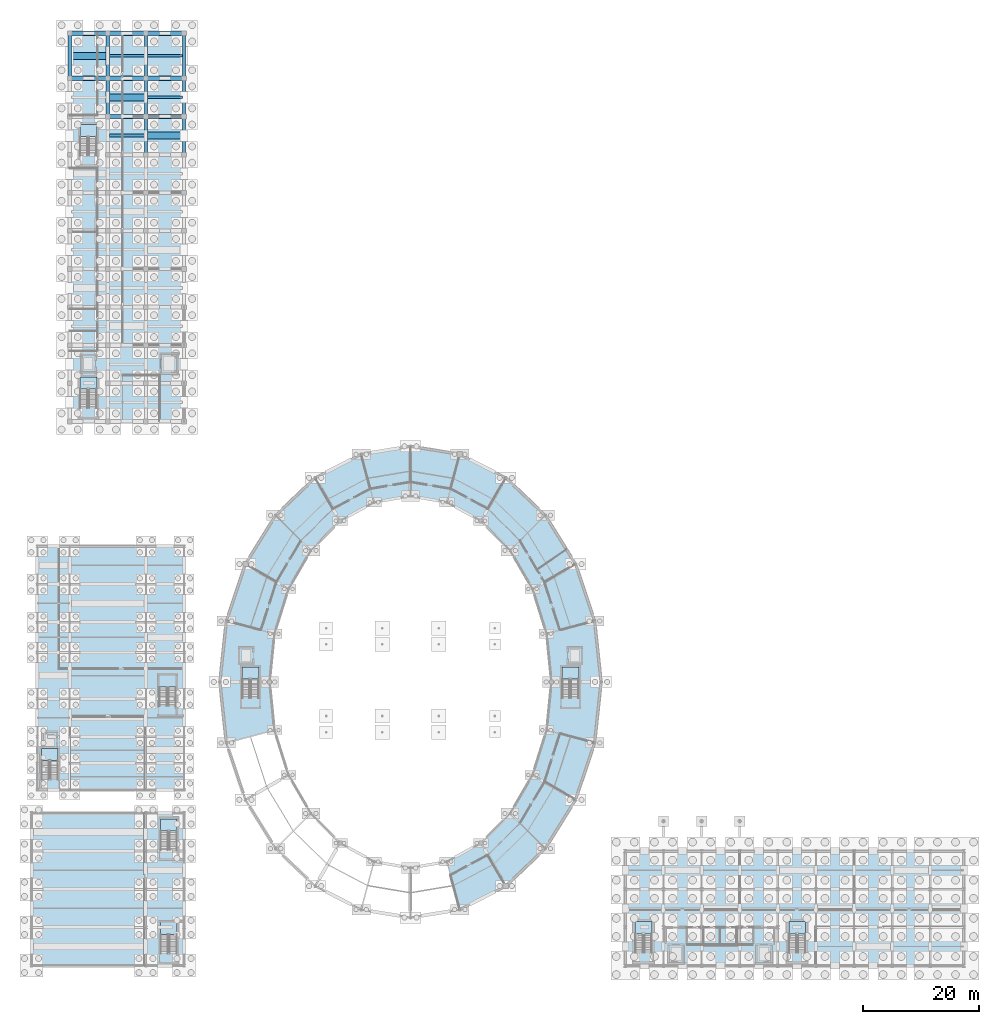
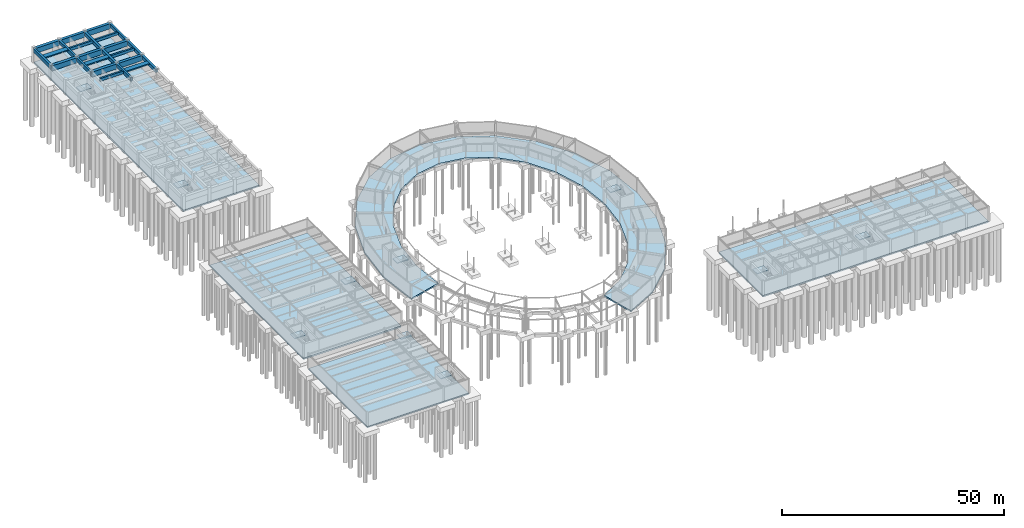
# One storey, part 29 of 58: 24 beams, 15 slabs, 10 elements without a shape of their own.
"""IFC4 building model written with IfcOpenShell, lengths in metres."""

from ifc_helpers import new_model, si_unit, direction, frame, origin, origin_2d, place, context, subcontext, project, spatial, polyline, rectangle, outline, extrude, material, layer, layer_set, material_profile, profile_set, type_object, element, aggregate, save


model = new_model("IFC4")

# Units and contexts
model_context = context("Model", 3, precision=1e-05, world=origin(), true_north=direction((0.0, 1.0)))
body_context = subcontext(model_context, "Body", "Model", "MODEL_VIEW")
ifc_project = project(units=[si_unit("LENGTHUNIT", "METRE"), si_unit("AREAUNIT", "SQUARE_METRE"), si_unit("VOLUMEUNIT", "CUBIC_METRE"), si_unit("PLANEANGLEUNIT", "RADIAN"), si_unit("MASSUNIT", "GRAM", prefix="KILO")], contexts=[model_context])

# Site, building, storey
site_placement = place(None, origin())
site = spatial("IfcSite", under=ifc_project, at=site_placement, CompositionType="ELEMENT")
building_placement = place(site_placement, origin())
building = spatial("IfcBuilding", under=site, at=building_placement, Name="Karori Crest Natural Sciences Institute", CompositionType="ELEMENT")
storey_placement = place(building_placement, frame((0.0, 0.0, -4.199951171875)))
storey = spatial("IfcBuildingStorey", under=building, at=storey_placement, Name="B1", CompositionType="ELEMENT", Elevation=-4.199951171875)

# Beams
ifc_material_1 = material(Name="Concrete 50 MPa", Category="concrete")
ifc_material_profile_1 = material_profile(ifc_material_1, rectangle(XDim=0.75, YDim=1.39990234375, at=origin_2d()), Name="RCB750x1400")
ifc_profile_set_1 = profile_set([ifc_material_profile_1], Name="Concrete 50 MPa")
beam_type_1 = type_object("IfcBeamType", Name="BT-17", PredefinedType="BEAM", material=ifc_profile_set_1)
for number, where, z_axis, x_axis, name in (
    (1, (7.39990234375, 162.199951171875, 3.14990234375), (1.0, 0.0, 0.0), (0.0, 1.0, 0.0), "Beam B-1278"),
    (2, (14.0, 162.199951171875, 3.14990234375), (1.0, 0.0, 0.0), (0.0, 1.0, 0.0), "Beam B-1279"),
):
    element("IfcBeam", number, at=place(storey_placement, frame(where, z_axis=z_axis, x_axis=x_axis)), inside=storey, type_object=beam_type_1, Name=name, PredefinedType="BEAM", context=body_context, shape_type="SweptSolid", body=[
        extrude(rectangle(XDim=0.75, YDim=1.39990234375, at=origin_2d()), origin(), (0.0, 0.0, 1.0), 6.60009765625),
    ])
beam_1_placement = place(storey_placement, frame((20.60009765625, 162.199951171875, 3.14990234375), z_axis=(1.0, 0.0, 0.0), x_axis=(0.0, 1.0, 0.0)))
element("IfcBeam", 3, at=beam_1_placement, inside=storey, type_object=beam_type_1, Name="Beam B-1280", PredefinedType="BEAM", context=body_context, shape_type="SweptSolid", body=[
    extrude(rectangle(XDim=0.75, YDim=1.39990234375, at=origin_2d()), origin(), (0.0, 0.0, 1.0), 6.599853515625),
])
ifc_material_profile_2 = material_profile(ifc_material_1, rectangle(XDim=0.75, YDim=1.39990234375, at=origin_2d()), Name="RCB750x1400")
ifc_profile_set_2 = profile_set([ifc_material_profile_2], Name="Concrete 50 MPa")
beam_type_2 = type_object("IfcBeamType", Name="BT-17-IL", PredefinedType="BEAM", material=ifc_profile_set_2)
beam_2_placement = place(storey_placement, frame((14.0, 147.800048828125, 3.14990234375), z_axis=(1.0, 0.0, 0.0), x_axis=(0.0, 1.0, 0.0)))
element("IfcBeam", 4, at=beam_2_placement, inside=storey, type_object=beam_type_2, Name="Beam B-1273", PredefinedType="BEAM", context=body_context, shape_type="SweptSolid", body=[
    extrude(rectangle(XDim=0.75, YDim=1.39990234375, at=origin_2d()), origin(), (0.0, 0.0, 1.0), 6.60009765625),
])
beam_3_placement = place(storey_placement, frame((20.60009765625, 147.800048828125, 3.14990234375), z_axis=(1.0, 0.0, 0.0), x_axis=(0.0, 1.0, 0.0)))
element("IfcBeam", 5, at=beam_3_placement, inside=storey, type_object=beam_type_2, Name="Beam B-1274", PredefinedType="BEAM", context=body_context, shape_type="SweptSolid", body=[
    extrude(rectangle(XDim=0.75, YDim=1.39990234375, at=origin_2d()), origin(), (0.0, 0.0, 1.0), 6.599853515625),
])
for number, where, z_axis, x_axis, name in (
    (6, (7.39990234375, 154.39990234375, 3.14990234375), (1.0, 0.0, 0.0), (0.0, 1.0, 0.0), "Beam B-1275"),
    (7, (14.0, 154.39990234375, 3.14990234375), (1.0, 0.0, 0.0), (0.0, 1.0, 0.0), "Beam B-1276"),
):
    element("IfcBeam", number, at=place(storey_placement, frame(where, z_axis=z_axis, x_axis=x_axis)), inside=storey, type_object=beam_type_2, Name=name, PredefinedType="BEAM", context=body_context, shape_type="SweptSolid", body=[
        extrude(rectangle(XDim=0.75, YDim=1.39990234375, at=origin_2d()), origin(), (0.0, 0.0, 1.0), 6.60009765625),
    ])
beam_4_placement = place(storey_placement, frame((20.60009765625, 154.39990234375, 3.14990234375), z_axis=(1.0, 0.0, 0.0), x_axis=(0.0, 1.0, 0.0)))
element("IfcBeam", 8, at=beam_4_placement, inside=storey, type_object=beam_type_2, Name="Beam B-1277", PredefinedType="BEAM", context=body_context, shape_type="SweptSolid", body=[
    extrude(rectangle(XDim=0.75, YDim=1.39990234375, at=origin_2d()), origin(), (0.0, 0.0, 1.0), 6.599853515625),
])
ifc_material_2 = material(Name="Concrete 40 MPa", Category="concrete")
ifc_material_profile_3 = material_profile(ifc_material_2, rectangle(XDim=1.199951171875, YDim=0.300048828125, at=origin_2d()), Name="HCP1200x300")
ifc_profile_set_3 = profile_set([ifc_material_profile_3], Name="Concrete 40 MPa")
beam_type_3 = type_object("IfcBeamType", Name="BT-25", PredefinedType="HOLLOWCORE", material=ifc_profile_set_3)
for number, where, z_axis, x_axis, name in (
    (9, (7.675048828125, 158.300048828125, 3.699951171875), (1.0, 0.0, 0.0), (0.0, 1.0, 0.0), "Beam B-1327"),
    (10, (14.27490234375, 151.10009765625, 3.699951171875), (1.0, 0.0, 0.0), (0.0, 1.0, 0.0), "Beam B-1336"),
    (11, (20.875, 144.5, 3.699951171875), (1.0, 0.0, 0.0), (0.0, 1.0, 0.0), "Beam B-1344"),
):
    element("IfcBeam", number, at=place(storey_placement, frame(where, z_axis=z_axis, x_axis=x_axis)), inside=storey, type_object=beam_type_3, Name=name, PredefinedType="HOLLOWCORE", context=body_context, shape_type="SweptSolid", body=[
        extrude(rectangle(XDim=1.199951171875, YDim=0.300048828125, at=origin_2d()), origin(), (0.0, 0.0, 1.0), 6.050048828125),
    ])
ifc_material_profile_4 = material_profile(ifc_material_1, rectangle(XDim=0.550048828125, YDim=0.949951171875, at=origin_2d()), Name="RCB550x950")
ifc_profile_set_4 = profile_set([ifc_material_profile_4], Name="Concrete 50 MPa")
beam_type_4 = type_object("IfcBeamType", Name="BT-34", PredefinedType="BEAM", material=ifc_profile_set_4)
beam_5_placement = place(storey_placement, frame((7.39990234375, 154.39990234375, 3.375), z_axis=(0.0, 1.0, 0.0), x_axis=(-1.0, 0.0, 0.0)))
element("IfcBeam", 12, at=beam_5_placement, inside=storey, type_object=beam_type_4, Name="Beam B-1290", PredefinedType="BEAM", context=body_context, shape_type="SweptSolid", body=[
    extrude(rectangle(XDim=0.550048828125, YDim=0.949951171875, at=origin_2d()), origin(), (0.0, 0.0, 1.0), 7.800048828125),
])
beam_6_placement = place(storey_placement, frame((27.199951171875, 141.199951171875, 3.375), z_axis=(0.0, 1.0, 0.0), x_axis=(-1.0, 0.0, 0.0)))
element("IfcBeam", 13, at=beam_6_placement, inside=storey, type_object=beam_type_4, Name="Beam B-1318", PredefinedType="BEAM", context=body_context, shape_type="SweptSolid", body=[
    extrude(rectangle(XDim=0.550048828125, YDim=0.949951171875, at=origin_2d()), origin(), (0.0, 0.0, 1.0), 6.60009765625),
])
beam_7_placement = place(storey_placement, frame((27.199951171875, 147.800048828125, 3.375), z_axis=(0.0, 1.0, 0.0), x_axis=(-1.0, 0.0, 0.0)))
element("IfcBeam", 14, at=beam_7_placement, inside=storey, type_object=beam_type_4, Name="Beam B-1319", PredefinedType="BEAM", context=body_context, shape_type="SweptSolid", body=[
    extrude(rectangle(XDim=0.550048828125, YDim=0.949951171875, at=origin_2d()), origin(), (0.0, 0.0, 1.0), 6.599853515625),
])
beam_8_placement = place(storey_placement, frame((27.199951171875, 154.39990234375, 3.375), z_axis=(0.0, 1.0, 0.0), x_axis=(-1.0, 0.0, 0.0)))
element("IfcBeam", 15, at=beam_8_placement, inside=storey, type_object=beam_type_4, Name="Beam B-1320", PredefinedType="BEAM", context=body_context, shape_type="SweptSolid", body=[
    extrude(rectangle(XDim=0.550048828125, YDim=0.949951171875, at=origin_2d()), origin(), (0.0, 0.0, 1.0), 7.800048828125),
])
ifc_material_profile_5 = material_profile(ifc_material_1, rectangle(XDim=0.550048828125, YDim=0.949951171875, at=origin_2d()), Name="RCB550x950")
ifc_profile_set_5 = profile_set([ifc_material_profile_5], Name="Concrete 50 MPa")
beam_type_5 = type_object("IfcBeamType", Name="BT-34-IL", PredefinedType="BEAM", material=ifc_profile_set_5)
beam_9_placement = place(storey_placement, frame((14.0, 147.800048828125, 3.375), z_axis=(0.0, 1.0, 0.0), x_axis=(-1.0, 0.0, 0.0)))
element("IfcBeam", 16, at=beam_9_placement, inside=storey, type_object=beam_type_5, Name="Beam B-1299", PredefinedType="BEAM", context=body_context, shape_type="SweptSolid", body=[
    extrude(rectangle(XDim=0.550048828125, YDim=0.949951171875, at=origin_2d()), origin(), (0.0, 0.0, 1.0), 6.599853515625),
])
beam_10_placement = place(storey_placement, frame((14.0, 154.39990234375, 3.375), z_axis=(0.0, 1.0, 0.0), x_axis=(-1.0, 0.0, 0.0)))
element("IfcBeam", 17, at=beam_10_placement, inside=storey, type_object=beam_type_5, Name="Beam B-1300", PredefinedType="BEAM", context=body_context, shape_type="SweptSolid", body=[
    extrude(rectangle(XDim=0.550048828125, YDim=0.949951171875, at=origin_2d()), origin(), (0.0, 0.0, 1.0), 7.800048828125),
])
beam_11_placement = place(storey_placement, frame((20.60009765625, 141.199951171875, 3.375), z_axis=(0.0, 1.0, 0.0), x_axis=(-1.0, 0.0, 0.0)))
element("IfcBeam", 18, at=beam_11_placement, inside=storey, type_object=beam_type_5, Name="Beam B-1308", PredefinedType="BEAM", context=body_context, shape_type="SweptSolid", body=[
    extrude(rectangle(XDim=0.550048828125, YDim=0.949951171875, at=origin_2d()), origin(), (0.0, 0.0, 1.0), 6.60009765625),
])
beam_12_placement = place(storey_placement, frame((20.60009765625, 147.800048828125, 3.375), z_axis=(0.0, 1.0, 0.0), x_axis=(-1.0, 0.0, 0.0)))
element("IfcBeam", 19, at=beam_12_placement, inside=storey, type_object=beam_type_5, Name="Beam B-1309", PredefinedType="BEAM", context=body_context, shape_type="SweptSolid", body=[
    extrude(rectangle(XDim=0.550048828125, YDim=0.949951171875, at=origin_2d()), origin(), (0.0, 0.0, 1.0), 6.599853515625),
])
beam_13_placement = place(storey_placement, frame((20.60009765625, 154.39990234375, 3.375), z_axis=(0.0, 1.0, 0.0), x_axis=(-1.0, 0.0, 0.0)))
element("IfcBeam", 20, at=beam_13_placement, inside=storey, type_object=beam_type_5, Name="Beam B-1310", PredefinedType="BEAM", context=body_context, shape_type="SweptSolid", body=[
    extrude(rectangle(XDim=0.550048828125, YDim=0.949951171875, at=origin_2d()), origin(), (0.0, 0.0, 1.0), 7.800048828125),
])
ifc_material_profile_6 = material_profile(ifc_material_1, rectangle(XDim=0.449951171875, YDim=0.75, at=origin_2d()), Name="RCB450x750")
ifc_profile_set_6 = profile_set([ifc_material_profile_6], Name="Concrete 50 MPa")
beam_type_6 = type_object("IfcBeamType", Name="BT-35", PredefinedType="BEAM", material=ifc_profile_set_6)
for number, where, z_axis, x_axis, name in (
    (21, (14.27490234375, 144.5, 3.474853515625), (1.0, 0.0, 0.0), (0.0, 1.0, 0.0), "Beam B-1335"),
    (22, (14.27490234375, 158.300048828125, 3.474853515625), (1.0, 0.0, 0.0), (0.0, 1.0, 0.0), "Beam B-1337"),
    (23, (20.875, 151.10009765625, 3.474853515625), (1.0, 0.0, 0.0), (0.0, 1.0, 0.0), "Beam B-1345"),
    (24, (20.875, 158.300048828125, 3.474853515625), (1.0, 0.0, 0.0), (0.0, 1.0, 0.0), "Beam B-1346"),
):
    element("IfcBeam", number, at=place(storey_placement, frame(where, z_axis=z_axis, x_axis=x_axis)), inside=storey, type_object=beam_type_6, Name=name, PredefinedType="BEAM", context=body_context, shape_type="SweptSolid", body=[
        extrude(rectangle(XDim=0.449951171875, YDim=0.75, at=origin_2d()), origin(), (0.0, 0.0, 1.0), 6.050048828125),
    ])

# Slabs
ifc_layer_1 = layer(ifc_material_2, 0.449951171875, Name="Concrete 40 MPa")
ifc_layer_set_1 = layer_set([ifc_layer_1], Name="Concrete 40 MPa")
slab_type_1 = type_object("IfcSlabType", Name="SLT-01", PredefinedType="BASESLAB", material=ifc_layer_set_1)
slab_1_placement = place(storey_placement, frame((0.0, 0.0, -0.449951171875)))
element("IfcSlab", 25, at=slab_1_placement, inside=storey, type_object=slab_type_1, Name="V4 Slab SL-0151", PredefinedType="BASESLAB", context=body_context, shape_type="SweptSolid", body=[
    extrude(outline(polyline([(7.39990234375, 95.0), (27.199951171875, 95.0), (27.199951171875, 162.199951171875), (7.39990234375, 162.199951171875), (7.39990234375, 95.0)])), origin(), (0.0, 0.0, 1.0), 0.449951171875),
])
slab_2_placement = place(storey_placement, frame((0.0, 0.0, -0.449951171875)))
element("IfcSlab", 26, at=slab_2_placement, inside=storey, type_object=slab_type_1, Name="V5 Slab SL-0162", PredefinedType="BASESLAB", context=body_context, shape_type="SweptSolid", body=[
    extrude(outline(polyline([(103.60009765625, 0.800048828125), (162.199951171875, 0.800048828125), (162.199951171875, 20.60009765625), (103.60009765625, 20.60009765625), (103.60009765625, 0.800048828125)])), origin(), (0.0, 0.0, 1.0), 0.449951171875),
])
ifc_layer_2 = layer(ifc_material_2, 0.39990234375, Name="Concrete 40 MPa")
ifc_layer_set_2 = layer_set([ifc_layer_2], Name="Concrete 40 MPa")
slab_type_2 = type_object("IfcSlabType", Name="SLT-02", PredefinedType="BASESLAB", material=ifc_layer_set_2)
slab_3_placement = place(storey_placement, frame((0.0, 0.0, -0.400146484375)))
element("IfcSlab", 27, at=slab_3_placement, inside=storey, type_object=slab_type_2, Name="V1 Slab SL-0001", PredefinedType="BASESLAB", context=body_context, shape_type="SweptSolid", body=[
    extrude(outline(polyline([(74.94091796875, 10.490234375), (82.89990234375, 14.566162109375), (89.734619140625, 21.050048828125), (94.978759765625, 29.5), (98.275634765625, 39.340087890625), (99.39990234375, 49.89990234375), (98.275634765625, 60.459716796875), (94.978759765625, 70.300048828125), (89.734619140625, 78.75), (82.89990234375, 85.23388671875), (74.94091796875, 89.309814453125), (66.39990234375, 90.699951171875), (57.85888671875, 89.309814453125), (49.89990234375, 85.23388671875), (43.0654296875, 78.75), (37.8212890625, 70.300048828125), (34.5244140625, 60.459716796875), (33.39990234375, 49.89990234375), (34.5244140625, 39.340087890625), (42.831298828125, 41.56591796875), (42.0, 49.89990234375), (42.831298828125, 58.23388671875), (45.26904296875, 66.0), (49.146484375, 72.668701171875), (54.199951171875, 77.785888671875), (60.084716796875, 81.002685546875), (66.39990234375, 82.10009765625), (72.715087890625, 81.002685546875), (78.60009765625, 77.785888671875), (83.6533203125, 72.668701171875), (87.531005859375, 66.0), (89.968505859375, 58.23388671875), (90.800048828125, 49.89990234375), (89.968505859375, 41.56591796875), (87.531005859375, 33.800048828125), (83.6533203125, 27.131103515625), (78.60009765625, 22.013916015625), (72.715087890625, 18.797119140625), (74.94091796875, 10.490234375)])), origin(), (0.0, 0.0, 1.0), 0.400146484375),
])
slab_4_placement = place(storey_placement, frame((0.0, 0.0, -0.400146484375)))
element("IfcSlab", 28, at=slab_4_placement, inside=storey, type_object=slab_type_2, Name="V2 Slab SL-0111", PredefinedType="BASESLAB", context=body_context, shape_type="SweptSolid", body=[
    extrude(outline(polyline([(0.800048828125, 0.800048828125), (27.199951171875, 0.800048828125), (27.199951171875, 27.199951171875), (0.800048828125, 27.199951171875), (0.800048828125, 0.800048828125)])), origin(), (0.0, 0.0, 1.0), 0.400146484375),
])
slab_5_placement = place(storey_placement, frame((0.0, 0.0, -0.400146484375)))
element("IfcSlab", 29, at=slab_5_placement, inside=storey, type_object=slab_type_2, Name="V3 Slab SL-0116", PredefinedType="BASESLAB", context=body_context, shape_type="SweptSolid", body=[
    extrude(outline(polyline([(1.800048828125, 31.199951171875), (27.199951171875, 31.199951171875), (27.199951171875, 73.39990234375), (1.800048828125, 73.39990234375), (1.800048828125, 31.199951171875)])), origin(), (0.0, 0.0, 1.0), 0.400146484375),
])

# Stair, slab
stair_type = type_object("IfcStairType", Name="STT-01", PredefinedType="HALF_TURN_STAIR", material=ifc_material_2)
stair_1_placement = place(storey_placement, origin())
stair_1 = element("IfcStair", 30, at=stair_1_placement, inside=storey, type_object=stair_type, Name="Protected stair ST-01-B1", PredefinedType="HALF_TURN_STAIR")
ifc_layer_3 = layer(ifc_material_2, 0.2099609375, Name="Concrete 40 MPa")
ifc_layer_set_3 = layer_set([ifc_layer_3], Name="Concrete 40 MPa")
slab_type_3 = type_object("IfcSlabType", Name="SLT-11", PredefinedType="LANDING", material=ifc_layer_set_3)
slab_6_placement = place(storey_placement, frame((0.0, 0.0, 1.889892578125)))
slab_6 = element("IfcSlab", 31, at=slab_6_placement, type_object=slab_type_3, Name="ST-01-B1 landing 1", PredefinedType="LANDING", context=body_context, shape_type="SweptSolid", body=[
    extrude(outline(polyline([(95.550048828125, 50.39990234375), (95.550048828125, 52.5), (92.64990234375, 52.5), (92.64990234375, 50.39990234375), (95.550048828125, 50.39990234375)])), origin(), (0.0, 0.0, 1.0), 0.2099609375),
])
aggregate(stair_1, [slab_6])

stair_2_placement = place(storey_placement, origin())
stair_2 = element("IfcStair", 32, at=stair_2_placement, inside=storey, type_object=stair_type, Name="Protected stair ST-02-B1", PredefinedType="HALF_TURN_STAIR")
slab_7_placement = place(storey_placement, frame((0.0, 0.0, 1.889892578125)))
slab_7 = element("IfcSlab", 33, at=slab_7_placement, type_object=slab_type_3, Name="ST-02-B1 landing 1", PredefinedType="LANDING", context=body_context, shape_type="SweptSolid", body=[
    extrude(outline(polyline([(40.14990234375, 50.39990234375), (40.14990234375, 52.5), (37.25, 52.5), (37.25, 50.39990234375), (40.14990234375, 50.39990234375)])), origin(), (0.0, 0.0, 1.0), 0.2099609375),
])
aggregate(stair_2, [slab_7])

stair_3_placement = place(storey_placement, origin())
stair_3 = element("IfcStair", 34, at=stair_3_placement, inside=storey, type_object=stair_type, Name="Protected stair ST-03-B1", PredefinedType="HALF_TURN_STAIR")
slab_8_placement = place(storey_placement, frame((0.0, 0.0, 1.889892578125)))
slab_8 = element("IfcSlab", 35, at=slab_8_placement, type_object=slab_type_3, Name="ST-03-B1 landing 1", PredefinedType="LANDING", context=body_context, shape_type="SweptSolid", body=[
    extrude(outline(polyline([(108.199951171875, 6.300048828125), (108.199951171875, 8.39990234375), (105.300048828125, 8.39990234375), (105.300048828125, 6.300048828125), (108.199951171875, 6.300048828125)])), origin(), (0.0, 0.0, 1.0), 0.2099609375),
])
aggregate(stair_3, [slab_8])

stair_4_placement = place(storey_placement, origin())
stair_4 = element("IfcStair", 36, at=stair_4_placement, inside=storey, type_object=stair_type, Name="Protected stair ST-04-B1", PredefinedType="HALF_TURN_STAIR")
slab_9_placement = place(storey_placement, frame((0.0, 0.0, 1.889892578125)))
slab_9 = element("IfcSlab", 37, at=slab_9_placement, type_object=slab_type_3, Name="ST-04-B1 landing 1", PredefinedType="LANDING", context=body_context, shape_type="SweptSolid", body=[
    extrude(outline(polyline([(134.800048828125, 6.300048828125), (134.800048828125, 8.39990234375), (131.89990234375, 8.39990234375), (131.89990234375, 6.300048828125), (134.800048828125, 6.300048828125)])), origin(), (0.0, 0.0, 1.0), 0.2099609375),
])
aggregate(stair_4, [slab_9])

stair_5_placement = place(storey_placement, origin())
stair_5 = element("IfcStair", 38, at=stair_5_placement, inside=storey, type_object=stair_type, Name="Protected stair ST-05-B1", PredefinedType="HALF_TURN_STAIR")
slab_10_placement = place(storey_placement, frame((0.0, 0.0, 1.889892578125)))
slab_10 = element("IfcSlab", 39, at=slab_10_placement, type_object=slab_type_3, Name="ST-05-B1 landing 1", PredefinedType="LANDING", context=body_context, shape_type="SweptSolid", body=[
    extrude(outline(polyline([(12.10009765625, 100.60009765625), (12.10009765625, 102.699951171875), (9.199951171875, 102.699951171875), (9.199951171875, 100.60009765625), (12.10009765625, 100.60009765625)])), origin(), (0.0, 0.0, 1.0), 0.2099609375),
])
aggregate(stair_5, [slab_10])

stair_6_placement = place(storey_placement, origin())
stair_6 = element("IfcStair", 40, at=stair_6_placement, inside=storey, type_object=stair_type, Name="Protected stair ST-06-B1", PredefinedType="HALF_TURN_STAIR")
slab_11_placement = place(storey_placement, frame((0.0, 0.0, 1.889892578125)))
slab_11 = element("IfcSlab", 41, at=slab_11_placement, type_object=slab_type_3, Name="ST-06-B1 landing 1", PredefinedType="LANDING", context=body_context, shape_type="SweptSolid", body=[
    extrude(outline(polyline([(12.10009765625, 144.300048828125), (12.10009765625, 146.39990234375), (9.199951171875, 146.39990234375), (9.199951171875, 144.300048828125), (12.10009765625, 144.300048828125)])), origin(), (0.0, 0.0, 1.0), 0.2099609375),
])
aggregate(stair_6, [slab_11])

stair_7_placement = place(storey_placement, origin())
stair_7 = element("IfcStair", 42, at=stair_7_placement, inside=storey, type_object=stair_type, Name="Protected stair ST-07-B1", PredefinedType="HALF_TURN_STAIR")
slab_12_placement = place(storey_placement, frame((0.0, 0.0, 1.889892578125)))
slab_12 = element("IfcSlab", 43, at=slab_12_placement, type_object=slab_type_3, Name="ST-07-B1 landing 1", PredefinedType="LANDING", context=body_context, shape_type="SweptSolid", body=[
    extrude(outline(polyline([(5.39990234375, 36.300048828125), (5.39990234375, 38.39990234375), (2.5, 38.39990234375), (2.5, 36.300048828125), (5.39990234375, 36.300048828125)])), origin(), (0.0, 0.0, 1.0), 0.2099609375),
])
aggregate(stair_7, [slab_12])

stair_8_placement = place(storey_placement, origin())
stair_8 = element("IfcStair", 44, at=stair_8_placement, inside=storey, type_object=stair_type, Name="Protected stair ST-08-B1", PredefinedType="HALF_TURN_STAIR")
slab_13_placement = place(storey_placement, frame((0.0, 0.0, 1.889892578125)))
slab_13 = element("IfcSlab", 45, at=slab_13_placement, type_object=slab_type_3, Name="ST-08-B1 landing 1", PredefinedType="LANDING", context=body_context, shape_type="SweptSolid", body=[
    extrude(outline(polyline([(25.800048828125, 49.0), (25.800048828125, 51.10009765625), (22.89990234375, 51.10009765625), (22.89990234375, 49.0), (25.800048828125, 49.0)])), origin(), (0.0, 0.0, 1.0), 0.2099609375),
])
aggregate(stair_8, [slab_13])

stair_9_placement = place(storey_placement, origin())
stair_9 = element("IfcStair", 46, at=stair_9_placement, inside=storey, type_object=stair_type, Name="Protected stair ST-09-B1", PredefinedType="HALF_TURN_STAIR")
slab_14_placement = place(storey_placement, frame((0.0, 0.0, 1.889892578125)))
slab_14 = element("IfcSlab", 47, at=slab_14_placement, type_object=slab_type_3, Name="ST-09-B1 landing 1", PredefinedType="LANDING", context=body_context, shape_type="SweptSolid", body=[
    extrude(outline(polyline([(26.0, 6.199951171875), (26.0, 8.300048828125), (23.10009765625, 8.300048828125), (23.10009765625, 6.199951171875), (26.0, 6.199951171875)])), origin(), (0.0, 0.0, 1.0), 0.2099609375),
])
aggregate(stair_9, [slab_14])

stair_10_placement = place(storey_placement, origin())
stair_10 = element("IfcStair", 48, at=stair_10_placement, inside=storey, type_object=stair_type, Name="Protected stair ST-10-B1", PredefinedType="HALF_TURN_STAIR")
slab_15_placement = place(storey_placement, frame((0.0, 0.0, 1.889892578125)))
slab_15 = element("IfcSlab", 49, at=slab_15_placement, type_object=slab_type_3, Name="ST-10-B1 landing 1", PredefinedType="LANDING", context=body_context, shape_type="SweptSolid", body=[
    extrude(outline(polyline([(26.0, 24.10009765625), (26.0, 26.199951171875), (23.10009765625, 26.199951171875), (23.10009765625, 24.10009765625), (26.0, 24.10009765625)])), origin(), (0.0, 0.0, 1.0), 0.2099609375),
])
aggregate(stair_10, [slab_15])

save(model, "model.ifc")
